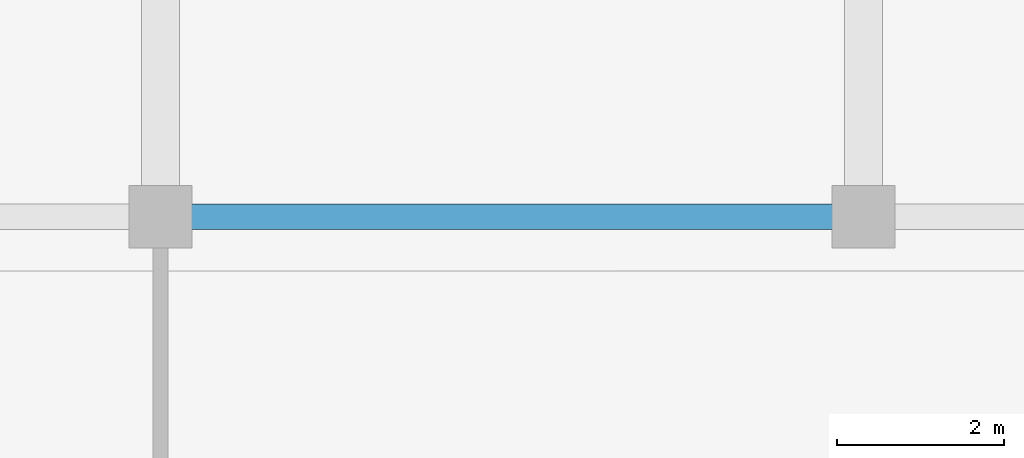
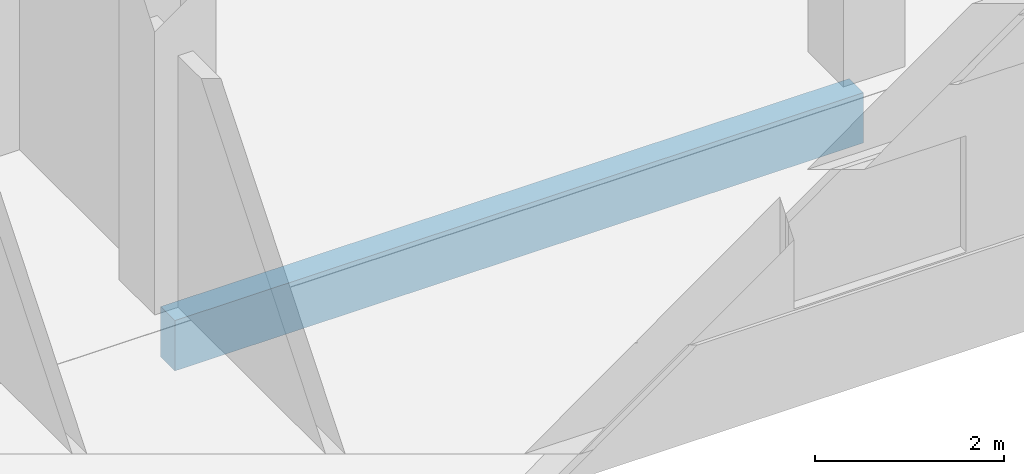
# One storey, part 105 of 184: 1 beam.
"""IFC4 building model written with IfcOpenShell, lengths in metres."""

from ifc_helpers import new_model, si_unit, direction, frame, origin, origin_2d, place, context, subcontext, project, spatial, rectangle, extrude, material, material_profile, profile_set, type_object, element, save


model = new_model("IFC4")

# Units and contexts
model_context = context("Model", 3, precision=1e-05, world=origin(), true_north=direction((0.0, 1.0)))
body_context = subcontext(model_context, "Body", "Model", "MODEL_VIEW")
ifc_project = project(units=[si_unit("LENGTHUNIT", "METRE"), si_unit("AREAUNIT", "SQUARE_METRE"), si_unit("VOLUMEUNIT", "CUBIC_METRE"), si_unit("PLANEANGLEUNIT", "RADIAN"), si_unit("MASSUNIT", "GRAM", prefix="KILO")], contexts=[model_context])

# Site, building, storey
site_placement = place(None, origin())
site = spatial("IfcSite", under=ifc_project, at=site_placement, CompositionType="ELEMENT")
building_placement = place(site_placement, origin())
building = spatial("IfcBuilding", under=site, at=building_placement, Name="Selatvlak General Hospital", CompositionType="ELEMENT")
storey_placement = place(building_placement, frame((0.0, 0.0, 15.0)))
storey = spatial("IfcBuildingStorey", under=building, at=storey_placement, Name="L03", CompositionType="ELEMENT", Elevation=15.0)

# Beam
ifc_material = material(Name="Concrete C40/50", Category="concrete")
ifc_material_profile = material_profile(ifc_material, rectangle(XDim=0.300048828125, YDim=0.64990234375, at=origin_2d()), Name="RC-SP 300x650")
ifc_profile_set = profile_set([ifc_material_profile], Name="Concrete C40/50")
beam_type = type_object("IfcBeamType", Name="BM-SP1", PredefinedType="SPANDREL", material=ifc_profile_set)
beam_placement = place(storey_placement, frame((81.60009765625, 88.64990234375, -0.6650390625), z_axis=(1.0, 0.0, 0.0), x_axis=(0.0, 1.0, 0.0)))
element("IfcBeam", 1, at=beam_placement, inside=storey, type_object=beam_type, Name="Beam BMR-L03-1190", PredefinedType="SPANDREL", context=body_context, shape_type="SweptSolid", body=[
    extrude(rectangle(XDim=0.300048828125, YDim=0.64990234375, at=origin_2d()), origin(), (0.0, 0.0, 1.0), 8.39990234375),
])

save(model, "model.ifc")
